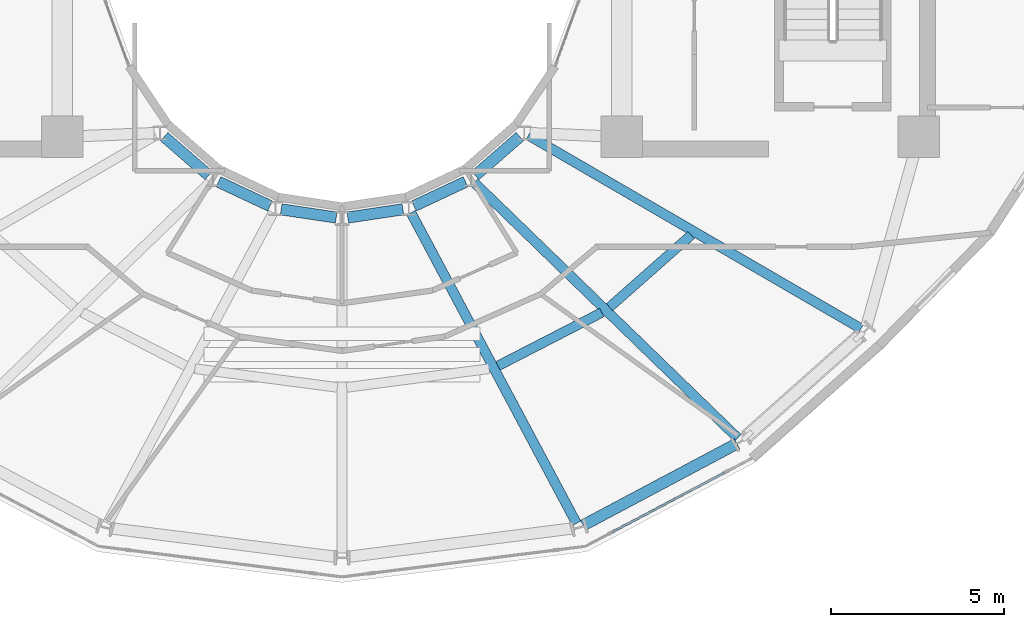
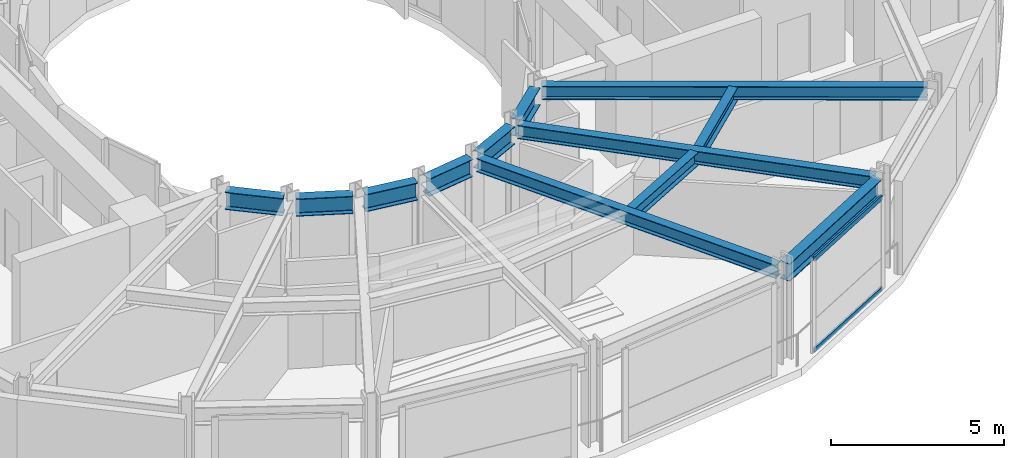
# One storey, part 5 of 24: 12 beams, 2 members, 1 element without a shape of its own.
"""IFC4 building model written with IfcOpenShell, lengths in metres."""

from ifc_helpers import new_model, si_unit, direction, frame, origin, origin_2d, place, context, subcontext, project, spatial, hollow_rectangle, i_section, extrude, material, layer, layer_set, material_profile, profile_set, type_object, element, aggregate, save


model = new_model("IFC4")

# Units and contexts
model_context = context("Model", 3, precision=1e-05, world=origin(), true_north=direction((0.0, 1.0)))
body_context = subcontext(model_context, "Body", "Model", "MODEL_VIEW")
ifc_project = project(units=[si_unit("LENGTHUNIT", "METRE"), si_unit("AREAUNIT", "SQUARE_METRE"), si_unit("VOLUMEUNIT", "CUBIC_METRE"), si_unit("PLANEANGLEUNIT", "RADIAN"), si_unit("MASSUNIT", "GRAM", prefix="KILO")], contexts=[model_context])

# Site, building, storey
site_placement = place(None, origin())
site = spatial("IfcSite", under=ifc_project, at=site_placement, CompositionType="ELEMENT")
building_placement = place(site_placement, origin())
building = spatial("IfcBuilding", under=site, at=building_placement, Name="Solvane Sanctuary Tower", CompositionType="ELEMENT")
storey_placement = place(building_placement, frame((0.0, 0.0, 253.199951171875)))
storey = spatial("IfcBuildingStorey", under=building, at=storey_placement, Name="L77", CompositionType="ELEMENT", Elevation=253.199951171875)

# Beams
ifc_material_1 = material(Name="Steel ASTM A992 Grade 50", Category="steel")
ifc_material_profile_1 = material_profile(ifc_material_1, i_section(OverallWidth=0.282958984375, OverallDepth=0.471923828125, WebThickness=0.013671875, FlangeThickness=0.022216796875, FilletRadius=0.013916015625, at=origin_2d()), Name="W18X97")
ifc_profile_set_1 = profile_set([ifc_material_profile_1], Name="Steel ASTM A992 Grade 50")
beam_type_1 = type_object("IfcBeamType", Name="Beam B-RAD-Z4 W18X97", PredefinedType="JOIST", material=ifc_profile_set_1)
beam_1_placement = place(storey_placement, frame((33.99658203125, 14.704833984375, 3.08203125), z_axis=(0.470405435304, -0.882450410185, 0.0), x_axis=(0.882450410185, 0.470405435304, 0.0)))
element("IfcBeam", 1, at=beam_1_placement, inside=storey, type_object=beam_type_1, Name="L77 Radial Composite Floor Beam 12", PredefinedType="JOIST", context=body_context, shape_type="SweptSolid", body=[
    extrude(i_section(OverallWidth=0.282958984375, OverallDepth=0.471923828125, WebThickness=0.013671875, FlangeThickness=0.022216796875, FilletRadius=0.013916015625, at=origin_2d()), origin(), (0.0, 0.0, 1.0), 10.190673828125),
])
beam_2_placement = place(storey_placement, frame((35.83056640625, 15.575927734375, 3.08203125), z_axis=(0.71793137972, -0.696113880061, 0.0), x_axis=(0.696113880061, 0.71793137972, 0.0)))
element("IfcBeam", 2, at=beam_2_placement, inside=storey, type_object=beam_type_1, Name="L77 Radial Composite Floor Beam 13", PredefinedType="JOIST", context=body_context, shape_type="SweptSolid", body=[
    extrude(i_section(OverallWidth=0.282958984375, OverallDepth=0.471923828125, WebThickness=0.013671875, FlangeThickness=0.022216796875, FilletRadius=0.013916015625, at=origin_2d()), origin(), (0.0, 0.0, 1.0), 10.619384765625),
])
beam_3_placement = place(storey_placement, frame((37.39599609375, 16.947509765625, 3.08203125), z_axis=(0.864496775109, -0.502638364857, 0.0), x_axis=(0.502638364857, 0.864496775109, 0.0)))
element("IfcBeam", 3, at=beam_3_placement, inside=storey, type_object=beam_type_1, Name="L77 Radial Composite Floor Beam 14", PredefinedType="JOIST", context=body_context, shape_type="SweptSolid", body=[
    extrude(i_section(OverallWidth=0.282958984375, OverallDepth=0.471923828125, WebThickness=0.013671875, FlangeThickness=0.022216796875, FilletRadius=0.013916015625, at=origin_2d()), origin(), (0.0, 0.0, 1.0), 11.136962890625),
])
ifc_material_profile_2 = material_profile(ifc_material_1, i_section(OverallWidth=0.324951171875, OverallDepth=0.615966796875, WebThickness=0.013916015625, FlangeThickness=0.021484375, FilletRadius=0.01611328125, at=origin_2d()), Name="W24X117")
ifc_profile_set_2 = profile_set([ifc_material_profile_2], Name="Steel ASTM A992 Grade 50")
beam_type_2 = type_object("IfcBeamType", Name="Beam B-RING-IN2 W24X117", PredefinedType="BEAM", material=ifc_profile_set_2)
beam_4_placement = place(storey_placement, frame((26.853271484375, 16.90625, 3.010009765625), z_axis=(0.754362388825, -0.656458213694, 0.0), x_axis=(0.656458213694, 0.754362388825, 0.0)))
element("IfcBeam", 4, at=beam_4_placement, inside=storey, type_object=beam_type_2, Name="L77 Inner Light-Well Ring Beam IC08-IC09", PredefinedType="BEAM", context=body_context, shape_type="SweptSolid", body=[
    extrude(i_section(OverallWidth=0.324951171875, OverallDepth=0.615966796875, WebThickness=0.013916015625, FlangeThickness=0.021484375, FilletRadius=0.01611328125, at=origin_2d()), origin(), (0.0, 0.0, 1.0), 1.708251953125),
])
beam_5_placement = place(storey_placement, frame((28.423828125, 15.60107421875, 3.010009765625), z_axis=(0.905150857291, -0.425090491008, 0.0), x_axis=(0.425090491008, 0.905150857291, 0.0)))
element("IfcBeam", 5, at=beam_5_placement, inside=storey, type_object=beam_type_2, Name="L77 Inner Light-Well Ring Beam IC09-IC10", PredefinedType="BEAM", context=body_context, shape_type="SweptSolid", body=[
    extrude(i_section(OverallWidth=0.324951171875, OverallDepth=0.615966796875, WebThickness=0.013916015625, FlangeThickness=0.021484375, FilletRadius=0.01611328125, at=origin_2d()), origin(), (0.0, 0.0, 1.0), 1.647705078125),
])
for number, where, z_axis, x_axis, name in (
    (6, (30.2373046875, 14.80322265625, 3.010009765625), (0.989039416515, -0.147651727316, 0.0), (0.147651727316, 0.989039416515, 0.0), "L77 Inner Light-Well Ring Beam IC10-IC11"),
    (7, (32.168212890625, 14.565185546875, 3.010009765625), (0.989039416515, 0.147651727316, 0.0), (-0.147651727316, 0.989039416515, 0.0), "L77 Inner Light-Well Ring Beam IC11-IC12"),
):
    element("IfcBeam", number, at=place(storey_placement, frame(where, z_axis=z_axis, x_axis=x_axis)), inside=storey, type_object=beam_type_2, Name=name, PredefinedType="BEAM", context=body_context, shape_type="SweptSolid", body=[
        extrude(i_section(OverallWidth=0.324951171875, OverallDepth=0.615966796875, WebThickness=0.013916015625, FlangeThickness=0.021484375, FilletRadius=0.01611328125, at=origin_2d()), origin(), (0.0, 0.0, 1.0), 1.612060546875),
    ])
beam_6_placement = place(storey_placement, frame((34.084716796875, 14.900634765625, 3.010009765625), z_axis=(0.905150857291, 0.425090491008, 0.0), x_axis=(-0.425090491008, 0.905150857291, 0.0)))
element("IfcBeam", 8, at=beam_6_placement, inside=storey, type_object=beam_type_2, Name="L77 Inner Light-Well Ring Beam IC12-IC13", PredefinedType="BEAM", context=body_context, shape_type="SweptSolid", body=[
    extrude(i_section(OverallWidth=0.324951171875, OverallDepth=0.615966796875, WebThickness=0.013916015625, FlangeThickness=0.021484375, FilletRadius=0.01611328125, at=origin_2d()), origin(), (0.0, 0.0, 1.0), 1.647705078125),
])
beam_7_placement = place(storey_placement, frame((35.858154296875, 15.784912109375, 3.010009765625), z_axis=(0.754362388825, 0.656458213694, 0.0), x_axis=(-0.656458213694, 0.754362388825, 0.0)))
element("IfcBeam", 9, at=beam_7_placement, inside=storey, type_object=beam_type_2, Name="L77 Inner Light-Well Ring Beam IC13-IC14", PredefinedType="BEAM", context=body_context, shape_type="SweptSolid", body=[
    extrude(i_section(OverallWidth=0.324951171875, OverallDepth=0.615966796875, WebThickness=0.013916015625, FlangeThickness=0.021484375, FilletRadius=0.01611328125, at=origin_2d()), origin(), (0.0, 0.0, 1.0), 1.708251953125),
])
ifc_material_profile_3 = material_profile(ifc_material_1, i_section(OverallWidth=0.280029296875, OverallDepth=0.462890625, WebThickness=0.0107421875, FlangeThickness=0.017333984375, FilletRadius=0.013916015625, at=origin_2d()), Name="W18X76")
ifc_profile_set_3 = profile_set([ifc_material_profile_3], Name="Steel ASTM A992 Grade 50")
beam_type_3 = type_object("IfcBeamType", Name="Beam B-SEC-JOIST W18X76", PredefinedType="JOIST", material=ifc_profile_set_3)
beam_8_placement = place(storey_placement, frame((36.514892578125, 10.27099609375, 3.086669921875), z_axis=(0.88924080122, 0.4574393921, 0.0), x_axis=(-0.4574393921, 0.88924080122, 0.0)))
element("IfcBeam", 10, at=beam_8_placement, inside=storey, type_object=beam_type_3, Name="L77 Secondary Circumferential Joist 12-13", PredefinedType="JOIST", context=body_context, shape_type="SweptSolid", body=[
    extrude(i_section(OverallWidth=0.280029296875, OverallDepth=0.462890625, WebThickness=0.0107421875, FlangeThickness=0.017333984375, FilletRadius=0.013916015625, at=origin_2d()), origin(), (0.0, 0.0, 1.0), 3.380615234375),
])
beam_9_placement = place(storey_placement, frame((39.744873046875, 11.97021484375, 3.086669921875), z_axis=(0.749354102876, 0.662169486236, 0.0), x_axis=(-0.662169486236, 0.749354102876, 0.0)))
element("IfcBeam", 11, at=beam_9_placement, inside=storey, type_object=beam_type_3, Name="L77 Secondary Circumferential Joist 13-14", PredefinedType="JOIST", context=body_context, shape_type="SweptSolid", body=[
    extrude(i_section(OverallWidth=0.280029296875, OverallDepth=0.462890625, WebThickness=0.0107421875, FlangeThickness=0.017333984375, FilletRadius=0.013916015625, at=origin_2d()), origin(), (0.0, 0.0, 1.0), 3.153076171875),
])
ifc_material_profile_4 = material_profile(ifc_material_1, i_section(OverallWidth=0.327880859375, OverallDepth=0.6279296875, WebThickness=0.0166015625, FlangeThickness=0.027587890625, FilletRadius=0.01611328125, at=origin_2d()), Name="W24X146")
ifc_profile_set_4 = profile_set([ifc_material_profile_4], Name="Steel ASTM A992 Grade 50")
beam_type_4 = type_object("IfcBeamType", Name="Beam B-SPAND-Z3 W24X146", PredefinedType="SPANDREL", material=ifc_profile_set_4)
beam_10_placement = place(storey_placement, frame((38.979736328125, 5.654296875, 3.004150390625), z_axis=(0.883011615456, 0.469351133981, 0.0), x_axis=(-0.469351133981, 0.883011615456, 0.0)))
element("IfcBeam", 12, at=beam_10_placement, inside=storey, type_object=beam_type_4, Name="L77 Perimeter Spandrel Beam TC12-TC13", PredefinedType="SPANDREL", context=body_context, shape_type="SweptSolid", body=[
    extrude(i_section(OverallWidth=0.327880859375, OverallDepth=0.6279296875, WebThickness=0.0166015625, FlangeThickness=0.027587890625, FilletRadius=0.01611328125, at=origin_2d()), origin(), (0.0, 0.0, 1.0), 5.04150390625),
])

# Curtain wall, members
ifc_material_2 = material(Name="Anodised Aluminium 6063-T6", Category="aluminium")
ifc_layer = layer(ifc_material_2, 0.18994140625, Name="Anodised Aluminium 6063-T6")
ifc_layer_set = layer_set([ifc_layer], Name="Anodised Aluminium 6063-T6")
curtain_wall_type = type_object("IfcCurtainWallType", Name="Curtain Wall CW-OPER", PredefinedType="NOTDEFINED", material=ifc_layer_set)
curtain_wall_placement = place(storey_placement, origin())
curtain_wall = element("IfcCurtainWall", 13, at=curtain_wall_placement, inside=storey, type_object=curtain_wall_type, Name="L77 CW-OPER Facade Run 19", PredefinedType="NOTDEFINED")
ifc_material_profile_5 = material_profile(ifc_material_2, hollow_rectangle(XDim=0.06494140625, YDim=0.159912109375, WallThickness=0.00341796875, at=origin_2d()), Name="ALU160X65X3.5")
ifc_profile_set_5 = profile_set([ifc_material_profile_5], Name="Anodised Aluminium 6063-T6")
member_type = type_object("IfcMemberType", Name="Member M-CW-TRN-1 ALU160X65X3.5", PredefinedType="USERDEFINED", material=ifc_profile_set_5)
member_1_placement = place(storey_placement, frame((39.834228515625, 5.466552734375, 0.032470703125), z_axis=(0.883977140568, 0.467530121975, 0.0), x_axis=(-0.467530121975, 0.883977140568, 0.0)))
member_1 = element("IfcMember", 14, at=member_1_placement, type_object=member_type, Name="CW-OPER transom 1.1", ObjectType="TRANSOM", PredefinedType="USERDEFINED", context=body_context, shape_type="SweptSolid", body=[
    extrude(hollow_rectangle(XDim=0.06494140625, YDim=0.159912109375, WallThickness=0.00341796875, at=origin_2d()), origin(), (0.0, 0.0, 1.0), 3.67041015625),
])
member_2_placement = place(storey_placement, frame((39.834228515625, 5.466552734375, 3.24755859375), z_axis=(0.883977140568, 0.467530121975, 0.0), x_axis=(-0.467530121975, 0.883977140568, 0.0)))
member_2 = element("IfcMember", 15, at=member_2_placement, type_object=member_type, Name="CW-OPER transom 1.2", ObjectType="TRANSOM", PredefinedType="USERDEFINED", context=body_context, shape_type="SweptSolid", body=[
    extrude(hollow_rectangle(XDim=0.06494140625, YDim=0.159912109375, WallThickness=0.00341796875, at=origin_2d()), origin(), (0.0, 0.0, 1.0), 3.67041015625),
])
aggregate(curtain_wall, [member_1, member_2])

save(model, "model.ifc")
